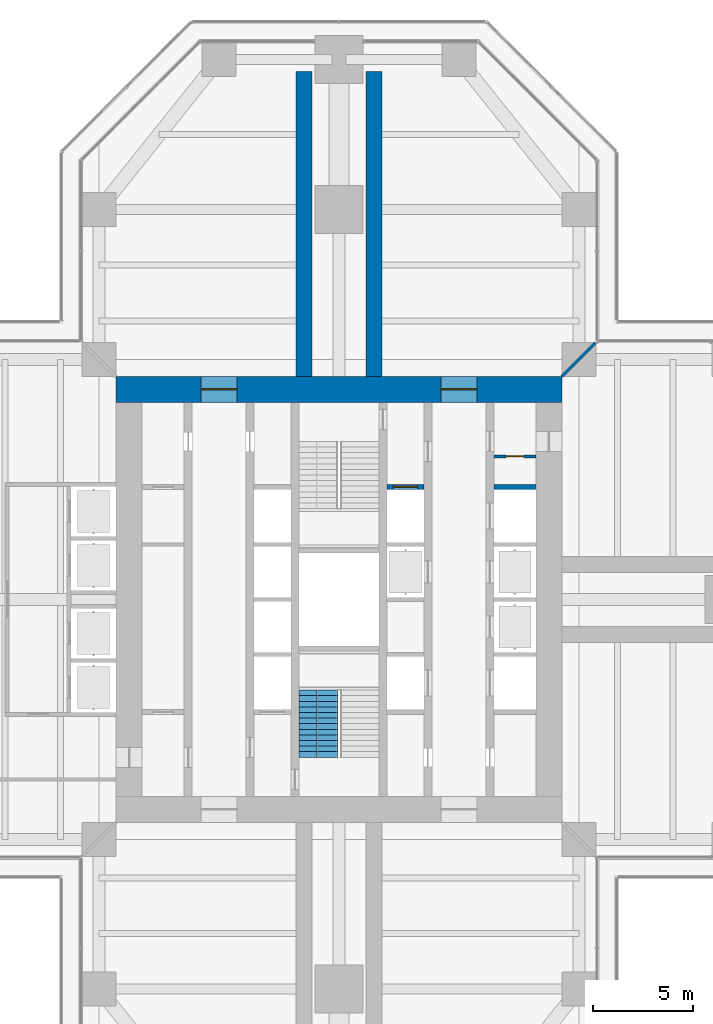
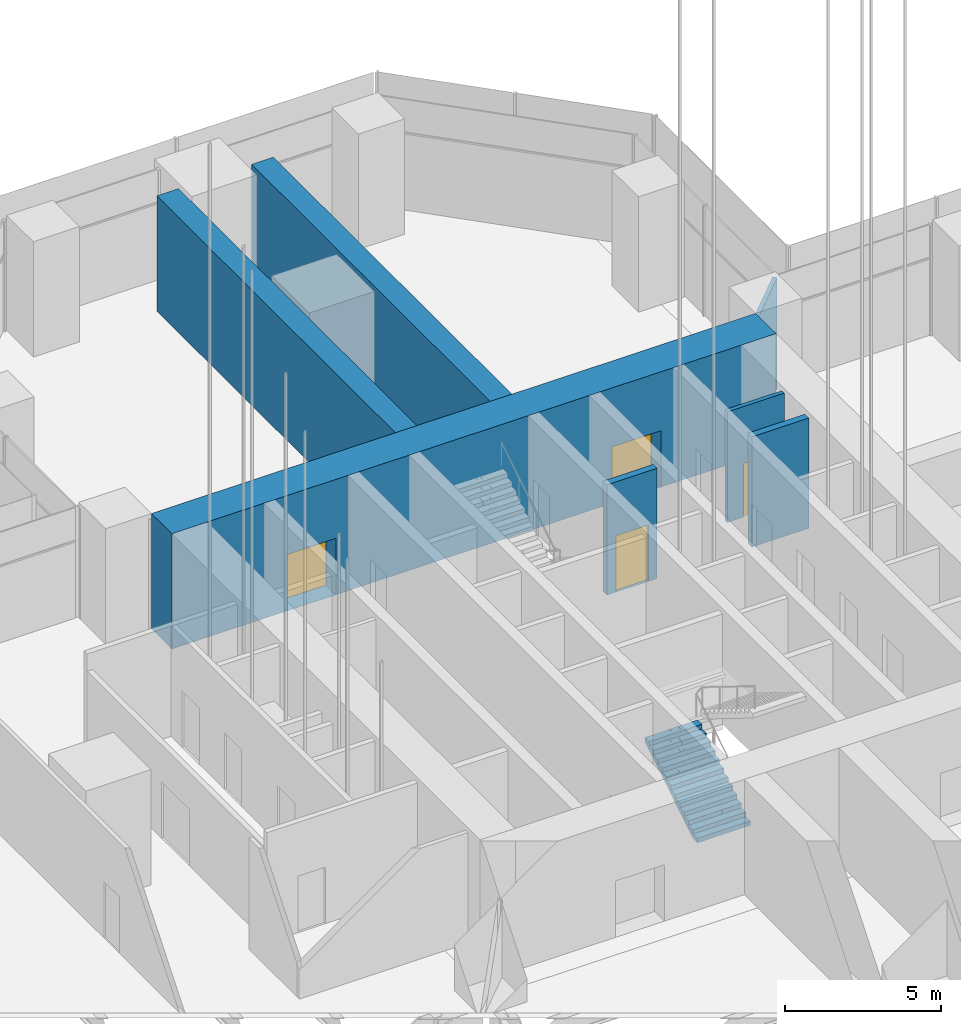
# One storey, part 16 of 34: 7 walls, 4 doors, 1 stair flight, 4 openings, 1 element without a shape of its own.
"""IFC4 building model written with IfcOpenShell, lengths in metres."""

from ifc_helpers import new_model, si_unit, direction, frame, frame_2d, origin, place, context, subcontext, project, spatial, polyline, rectangle, outline, extrude, material, layer, layer_set, type_object, element, fill, aggregate, save


model = new_model("IFC4")

# Units and contexts
model_context = context("Model", 3, precision=1e-05, world=origin(), true_north=direction((0.0, 1.0)))
body_context = subcontext(model_context, "Body", "Model", "MODEL_VIEW")
ifc_project = project(units=[si_unit("LENGTHUNIT", "METRE"), si_unit("AREAUNIT", "SQUARE_METRE"), si_unit("VOLUMEUNIT", "CUBIC_METRE"), si_unit("PLANEANGLEUNIT", "RADIAN"), si_unit("MASSUNIT", "GRAM", prefix="KILO")], contexts=[model_context])

# Site, building, storey
site_placement = place(None, origin())
site = spatial("IfcSite", under=ifc_project, at=site_placement, CompositionType="ELEMENT")
building_placement = place(site_placement, origin())
building = spatial("IfcBuilding", under=site, at=building_placement, Name="Mizan Broadcast Tower", CompositionType="ELEMENT")
storey_placement = place(building_placement, frame((0.0, 0.0, 194.39990234375)))
storey = spatial("IfcBuildingStorey", under=building, at=storey_placement, Name="L45", CompositionType="ELEMENT", Elevation=194.39990234375)

# Wall, opening, door
ifc_material_1 = material(Name="Concrete blockwork", Category="masonry")
ifc_layer_1 = layer(ifc_material_1, 0.14990234375)
ifc_layer_set_1 = layer_set([ifc_layer_1], Name="Concrete blockwork")
wall_type_1 = type_object("IfcWallType", Name="CORE PARTITION 150", PredefinedType="SOLIDWALL", material=ifc_layer_set_1)
wall_1_placement = place(storey_placement, frame((9.85009765625, 7.14990234375, 0.0), z_axis=(0.0, 0.0, 1.0), x_axis=(-1.0, 0.0, 0.0)))
wall_1 = element("IfcWall", 1, at=wall_1_placement, inside=storey, type_object=wall_type_1, Name="Core partition CORE/XPE", PredefinedType="SOLIDWALL", context=body_context, shape_type="SweptSolid", body=[
    extrude(rectangle(XDim=2.10009765625, YDim=0.14990234375, at=frame_2d((1.050048828125, 0.0))), origin(), (0.0, 0.0, 1.0), 4.320068359375),
])
opening_1_placement = place(wall_1_placement, frame((0.60009765625, 0.0, 0.0)))
opening_1 = element("IfcOpeningElement", 2, at=opening_1_placement, cuts=wall_1, Name="Opening D09F", PredefinedType="OPENING", context=body_context, shape_type="SweptSolid", body=[
    extrude(rectangle(XDim=0.89990234375, YDim=2.10009765625, at=frame_2d((0.449951171875, 1.050048828125))), frame((0.0, 0.0849609375, 0.0), z_axis=(0.0, -1.0, 0.0), x_axis=(1.0, 0.0, 0.0)), (0.0, 0.0, 1.0), 0.169921875),
])
ifc_material_2 = material(Name="Steel door leaf in steel frame", Category="steel")
door_type_1 = type_object("IfcDoorType", Name="CORE ROOM DOOR 900 FD90", OperationType="SINGLE_SWING_LEFT", PredefinedType="DOOR", material=ifc_material_2)
door_1_placement = place(opening_1_placement, origin())
door_1 = element("IfcDoor", 3, at=door_1_placement, inside=storey, type_object=door_type_1, Name="Comms cupboard door", OperationType="SINGLE_SWING_RIGHT", OverallHeight=2.10009765625, OverallWidth=0.89990234375, PredefinedType="DOOR", context=body_context, shape_type="SweptSolid", body=[
    extrude(rectangle(XDim=0.89990234375, YDim=2.10009765625, at=frame_2d((0.449951171875, 1.050048828125))), frame((0.0, 0.02490234375, 0.0), z_axis=(0.0, -1.0, 0.0), x_axis=(1.0, 0.0, 0.0)), (0.0, 0.0, 1.0), 0.050048828125),
])
fill(opening_1, door_1)

# Wall, openings, doors
ifc_material_3 = material(Name="Concrete C70/85", Category="concrete")
ifc_layer_2 = layer(ifc_material_3, 1.300048828125)
ifc_layer_set_2 = layer_set([ifc_layer_2], Name="Concrete C70/85")
wall_type_2 = type_object("IfcWallType", Name="CORE WALL 1300", PredefinedType="SHEAR", material=ifc_layer_set_2)
wall_2_placement = place(storey_placement, frame((-11.14990234375, 10.5, 0.0), z_axis=(0.0, 0.0, 1.0), x_axis=(1.0, 0.0, 0.0)))
wall_2 = element("IfcWall", 4, at=wall_2_placement, inside=storey, type_object=wall_type_2, Name="Core wall N L45", PredefinedType="SHEAR", context=body_context, shape_type="SweptSolid", body=[
    extrude(rectangle(XDim=22.2998046875, YDim=1.300048828125, at=frame_2d((11.14990234375, 0.0))), origin(), (0.0, 0.0, 1.0), 4.5),
])
opening_2_placement = place(wall_2_placement, frame((4.25, 0.0, 0.0)))
opening_2 = element("IfcOpeningElement", 5, at=opening_2_placement, cuts=wall_2, Name="Opening D18F", PredefinedType="OPENING", context=body_context, shape_type="SweptSolid", body=[
    extrude(rectangle(XDim=1.800048828125, YDim=2.199951171875, at=frame_2d((0.89990234375, 1.10009765625))), frame((0.0, 0.659912109375, 0.0), z_axis=(0.0, -1.0, 0.0), x_axis=(1.0, 0.0, 0.0)), (0.0, 0.0, 1.0), 1.320068359375),
])
opening_3_placement = place(wall_2_placement, frame((16.25, 0.0, 0.0)))
opening_3 = element("IfcOpeningElement", 6, at=opening_3_placement, cuts=wall_2, Name="Opening D18F", PredefinedType="OPENING", context=body_context, shape_type="SweptSolid", body=[
    extrude(rectangle(XDim=1.800048828125, YDim=2.199951171875, at=frame_2d((0.89990234375, 1.10009765625))), frame((0.0, 0.659912109375, 0.0), z_axis=(0.0, -1.0, 0.0), x_axis=(1.0, 0.0, 0.0)), (0.0, 0.0, 1.0), 1.320068359375),
])
ifc_material_4 = material(Name="Steel door leaf in steel frame", Category="steel")
door_type_2 = type_object("IfcDoorType", Name="LOBBY DOUBLE DOOR 1800 FD90", OperationType="DOUBLE_DOOR_DOUBLE_SWING", PredefinedType="DOOR", material=ifc_material_4)
door_2_placement = place(opening_2_placement, origin())
door_2 = element("IfcDoor", 7, at=door_2_placement, inside=storey, type_object=door_type_2, Name="West lift lobby north door", OperationType="DOUBLE_DOOR_DOUBLE_SWING", OverallHeight=2.199951171875, OverallWidth=1.800048828125, PredefinedType="DOOR", context=body_context, shape_type="SweptSolid", body=[
    extrude(rectangle(XDim=1.800048828125, YDim=2.199951171875, at=frame_2d((0.89990234375, 1.10009765625))), frame((0.0, 0.02490234375, 0.0), z_axis=(0.0, -1.0, 0.0), x_axis=(1.0, 0.0, 0.0)), (0.0, 0.0, 1.0), 0.050048828125),
])
fill(opening_2, door_2)
door_3_placement = place(opening_3_placement, origin())
door_3 = element("IfcDoor", 8, at=door_3_placement, inside=storey, type_object=door_type_2, Name="East lift lobby north door", OperationType="DOUBLE_DOOR_DOUBLE_SWING", OverallHeight=2.199951171875, OverallWidth=1.800048828125, PredefinedType="DOOR", context=body_context, shape_type="SweptSolid", body=[
    extrude(rectangle(XDim=1.800048828125, YDim=2.199951171875, at=frame_2d((0.89990234375, 1.10009765625))), frame((0.0, 0.02490234375, 0.0), z_axis=(0.0, -1.0, 0.0), x_axis=(1.0, 0.0, 0.0)), (0.0, 0.0, 1.0), 0.050048828125),
])
fill(opening_3, door_3)

# Wall, opening, door
ifc_material_5 = material(Name="Concrete blockwork", Category="masonry")
ifc_layer_3 = layer(ifc_material_5, 0.25)
ifc_layer_set_3 = layer_set([ifc_layer_3], Name="Concrete blockwork")
wall_type_3 = type_object("IfcWallType", Name="LOBBY ENCLOSURE WALL 250", PredefinedType="SOLIDWALL", material=ifc_layer_set_3)
wall_3_placement = place(storey_placement, frame((2.39990234375, 5.625, 0.0), z_axis=(0.0, 0.0, 1.0), x_axis=(1.0, 0.0, 0.0)))
wall_3 = element("IfcWall", 9, at=wall_3_placement, inside=storey, type_object=wall_type_3, Name="Lobby enclosure wall CORE/BE2N", PredefinedType="SOLIDWALL", context=body_context, shape_type="SweptSolid", body=[
    extrude(rectangle(XDim=1.85009765625, YDim=0.25, at=frame_2d((0.925048828125, 0.0))), origin(), (0.0, 0.0, 1.0), 4.300048828125),
])
opening_4_placement = place(wall_3_placement, frame((0.324951171875, 0.0, 0.0)))
opening_4 = element("IfcOpeningElement", 10, at=opening_4_placement, cuts=wall_3, Name="Opening LDF", PredefinedType="OPENING", context=body_context, shape_type="SweptSolid", body=[
    extrude(rectangle(XDim=1.199951171875, YDim=2.199951171875, at=frame_2d((0.60009765625, 1.10009765625))), frame((0.0, 0.135009765625, 0.0), z_axis=(0.0, -1.0, 0.0), x_axis=(1.0, 0.0, 0.0)), (0.0, 0.0, 1.0), 0.27001953125),
])
ifc_material_6 = material(Name="Steel door leaf in steel frame", Category="steel")
door_type_3 = type_object("IfcDoorType", Name="FIREFIGHTING LIFT LANDING DOOR 1200", OperationType="SLIDING_TO_LEFT", PredefinedType="DOOR", material=ifc_material_6)
door_4_placement = place(opening_4_placement, origin())
door_4 = element("IfcDoor", 11, at=door_4_placement, inside=storey, type_object=door_type_3, Name="Landing door FF2", OperationType="SLIDING_TO_LEFT", OverallHeight=2.199951171875, OverallWidth=1.199951171875, PredefinedType="DOOR", context=body_context, shape_type="SweptSolid", body=[
    extrude(rectangle(XDim=1.199951171875, YDim=2.199951171875, at=frame_2d((0.60009765625, 1.10009765625))), frame((0.0, 0.02490234375, 0.0), z_axis=(0.0, -1.0, 0.0), x_axis=(1.0, 0.0, 0.0)), (0.0, 0.0, 1.0), 0.050048828125),
])
fill(opening_4, door_4)

# Walls
wall_4_placement = place(storey_placement, frame((7.75, 5.625, 0.0), z_axis=(0.0, 0.0, 1.0), x_axis=(1.0, 0.0, 0.0)))
element("IfcWall", 12, at=wall_4_placement, inside=storey, type_object=wall_type_3, Name="Lobby enclosure wall CORE/BE1N", PredefinedType="SOLIDWALL", context=body_context, shape_type="SweptSolid", body=[
    extrude(rectangle(XDim=2.10009765625, YDim=0.25, at=frame_2d((1.050048828125, 0.0))), origin(), (0.0, 0.0, 1.0), 4.300048828125),
])
ifc_material_7 = material(Name="Gypsum board on steel studs", Category="steel")
ifc_layer_4 = layer(ifc_material_7, 0.14990234375)
ifc_layer_set_4 = layer_set([ifc_layer_4], Name="Gypsum board on steel studs")
wall_type_4 = type_object("IfcWallType", Name="PARTITION 150", PredefinedType="PARTITIONING", material=ifc_layer_set_4)
wall_5_placement = place(storey_placement, frame((11.14990234375, 11.14990234375, 0.0), z_axis=(0.0, 0.0, 1.0), x_axis=(0.707106781187, 0.707106781187, 0.0)))
element("IfcWall", 13, at=wall_5_placement, inside=storey, type_object=wall_type_4, Name="Partition PT/DGEN", PredefinedType="PARTITIONING", context=body_context, shape_type="SweptSolid", body=[
    extrude(rectangle(XDim=2.362060546875, YDim=0.14990234375, at=frame_2d((1.18115234375, 0.0))), origin(), (0.0, 0.0, 1.0), 4.320068359375),
])
ifc_material_8 = material(Name="Concrete C70/85", Category="concrete")
ifc_layer_5 = layer(ifc_material_8, 0.800048828125)
ifc_layer_set_5 = layer_set([ifc_layer_5], Name="Concrete C70/85")
wall_type_5 = type_object("IfcWallType", Name="SPINE WALL 800", PredefinedType="SHEAR", material=ifc_layer_set_5)
for number, where, z_axis, x_axis, name in (
    (14, (1.75, 11.14990234375, 0.0), (0.0, 0.0, 1.0), (0.0, 1.0, 0.0), "Spine wall NR L45"),
    (15, (-1.75, 11.14990234375, 0.0), (0.0, 0.0, 1.0), (0.0, 1.0, 0.0), "Spine wall NL L45"),
):
    element("IfcWall", number, at=place(storey_placement, frame(where, z_axis=z_axis, x_axis=x_axis)), inside=storey, type_object=wall_type_5, Name=name, PredefinedType="SHEAR", context=body_context, shape_type="SweptSolid", body=[
        extrude(rectangle(XDim=15.25, YDim=0.800048828125, at=frame_2d((7.625, 0.0))), origin(), (0.0, 0.0, 1.0), 4.5),
    ])

# Stair, stair flight
ifc_material_9 = material(Name="Concrete C40/50", Category="concrete")
stair_type = type_object("IfcStairType", Name="EXIT STAIR", PredefinedType="HALF_TURN_STAIR", material=ifc_material_9)
stair_placement = place(storey_placement, origin())
stair = element("IfcStair", 16, at=stair_placement, inside=storey, type_object=stair_type, Name="Stair A L45", PredefinedType="HALF_TURN_STAIR")
ifc_material_10 = material(Name="Concrete C40/50", Category="concrete")
stair_flight_type = type_object("IfcStairFlightType", Name="EXIT STAIR FLIGHT", PredefinedType="STRAIGHT", material=ifc_material_10)
stair_flight_placement = place(storey_placement, frame((-1.02490234375, -7.89990234375, 0.0), z_axis=(0.0, 0.0, 1.0), x_axis=(0.0, 1.0, 0.0)))
stair_flight = element("IfcStairFlight", 17, at=stair_flight_placement, type_object=stair_flight_type, Name="A flight 1", NumberOfRisers=13, NumberOfTreads=12, PredefinedType="STRAIGHT", RiserHeight=0.173076923, TreadLength=0.28, context=body_context, shape_type="SweptSolid", body=[
    extrude(outline(polyline([(0.0, 0.0), (0.0, 0.173095703125), (0.280029296875, 0.173095703125), (0.280029296875, 0.34619140625), (0.56005859375, 0.34619140625), (0.56005859375, 0.519287109375), (0.840087890625, 0.519287109375), (0.840087890625, 0.6923828125), (1.1201171875, 0.6923828125), (1.1201171875, 0.865478515625), (1.39990234375, 0.865478515625), (1.39990234375, 1.03857421875), (1.679931640625, 1.03857421875), (1.679931640625, 1.21142578125), (1.9599609375, 1.21142578125), (1.9599609375, 1.384521484375), (2.239990234375, 1.384521484375), (2.239990234375, 1.5576171875), (2.52001953125, 1.5576171875), (2.52001953125, 1.730712890625), (2.800048828125, 1.730712890625), (2.800048828125, 1.90380859375), (3.080078125, 1.90380859375), (3.080078125, 2.076904296875), (3.360107421875, 2.076904296875), (3.360107421875, 2.25), (3.360107421875, 1.900634765625), (0.28515625, 0.0), (0.0, 0.0)])), frame((0.0, 0.97509765625, 0.0), z_axis=(0.0, -1.0, 0.0), x_axis=(1.0, 0.0, 0.0)), (0.0, 0.0, 1.0), 0.4873046875),
    extrude(outline(polyline([(0.0, 0.0), (0.0, 0.173095703125), (0.280029296875, 0.173095703125), (0.280029296875, 0.34619140625), (0.56005859375, 0.34619140625), (0.56005859375, 0.519287109375), (0.840087890625, 0.519287109375), (0.840087890625, 0.6923828125), (1.1201171875, 0.6923828125), (1.1201171875, 0.865478515625), (1.39990234375, 0.865478515625), (1.39990234375, 1.03857421875), (1.679931640625, 1.03857421875), (1.679931640625, 1.21142578125), (1.9599609375, 1.21142578125), (1.9599609375, 1.384521484375), (2.239990234375, 1.384521484375), (2.239990234375, 1.5576171875), (2.52001953125, 1.5576171875), (2.52001953125, 1.730712890625), (2.800048828125, 1.730712890625), (2.800048828125, 1.90380859375), (3.080078125, 1.90380859375), (3.080078125, 2.076904296875), (3.360107421875, 2.076904296875), (3.360107421875, 2.25), (3.360107421875, 1.900634765625), (0.28515625, 0.0), (0.0, 0.0)])), frame((0.0, 0.4873046875, 0.0), z_axis=(0.0, -1.0, 0.0), x_axis=(1.0, 0.0, 0.0)), (0.0, 0.0, 1.0), 0.2431640625),
    extrude(outline(polyline([(0.0, 0.0), (0.0, 0.173095703125), (0.280029296875, 0.173095703125), (0.280029296875, 0.34619140625), (0.56005859375, 0.34619140625), (0.56005859375, 0.519287109375), (0.840087890625, 0.519287109375), (0.840087890625, 0.6923828125), (1.1201171875, 0.6923828125), (1.1201171875, 0.865478515625), (1.39990234375, 0.865478515625), (1.39990234375, 1.03857421875), (1.679931640625, 1.03857421875), (1.679931640625, 1.21142578125), (1.9599609375, 1.21142578125), (1.9599609375, 1.384521484375), (2.239990234375, 1.384521484375), (2.239990234375, 1.5576171875), (2.52001953125, 1.5576171875), (2.52001953125, 1.730712890625), (2.800048828125, 1.730712890625), (2.800048828125, 1.90380859375), (3.080078125, 1.90380859375), (3.080078125, 2.076904296875), (3.360107421875, 2.076904296875), (3.360107421875, 2.25), (3.360107421875, 1.900634765625), (0.28515625, 0.0), (0.0, 0.0)])), frame((0.0, 0.24365234375, 0.0), z_axis=(0.0, -1.0, 0.0), x_axis=(1.0, 0.0, 0.0)), (0.0, 0.0, 1.0), 0.121337890625),
    extrude(outline(polyline([(0.0, 0.0), (0.0, 0.173095703125), (0.280029296875, 0.173095703125), (0.280029296875, 0.34619140625), (0.56005859375, 0.34619140625), (0.56005859375, 0.519287109375), (0.840087890625, 0.519287109375), (0.840087890625, 0.6923828125), (1.1201171875, 0.6923828125), (1.1201171875, 0.865478515625), (1.39990234375, 0.865478515625), (1.39990234375, 1.03857421875), (1.679931640625, 1.03857421875), (1.679931640625, 1.21142578125), (1.9599609375, 1.21142578125), (1.9599609375, 1.384521484375), (2.239990234375, 1.384521484375), (2.239990234375, 1.5576171875), (2.52001953125, 1.5576171875), (2.52001953125, 1.730712890625), (2.800048828125, 1.730712890625), (2.800048828125, 1.90380859375), (3.080078125, 1.90380859375), (3.080078125, 2.076904296875), (3.360107421875, 2.076904296875), (3.360107421875, 2.25), (3.360107421875, 1.900634765625), (0.28515625, 0.0), (0.0, 0.0)])), frame((0.0, 0.121826171875, 0.0), z_axis=(0.0, -1.0, 0.0), x_axis=(1.0, 0.0, 0.0)), (0.0, 0.0, 1.0), 0.060546875),
    extrude(outline(polyline([(0.0, 0.0), (0.0, 0.173095703125), (0.280029296875, 0.173095703125), (0.280029296875, 0.34619140625), (0.56005859375, 0.34619140625), (0.56005859375, 0.519287109375), (0.840087890625, 0.519287109375), (0.840087890625, 0.6923828125), (1.1201171875, 0.6923828125), (1.1201171875, 0.865478515625), (1.39990234375, 0.865478515625), (1.39990234375, 1.03857421875), (1.679931640625, 1.03857421875), (1.679931640625, 1.21142578125), (1.9599609375, 1.21142578125), (1.9599609375, 1.384521484375), (2.239990234375, 1.384521484375), (2.239990234375, 1.5576171875), (2.52001953125, 1.5576171875), (2.52001953125, 1.730712890625), (2.800048828125, 1.730712890625), (2.800048828125, 1.90380859375), (3.080078125, 1.90380859375), (3.080078125, 2.076904296875), (3.360107421875, 2.076904296875), (3.360107421875, 2.25), (3.360107421875, 1.900634765625), (0.28515625, 0.0), (0.0, 0.0)])), frame((0.0, 0.060791015625, 0.0), z_axis=(0.0, -1.0, 0.0), x_axis=(1.0, 0.0, 0.0)), (0.0, 0.0, 1.0), 0.030029296875),
    extrude(outline(polyline([(0.0, 0.0), (0.0, 0.173095703125), (0.280029296875, 0.173095703125), (0.280029296875, 0.34619140625), (0.56005859375, 0.34619140625), (0.56005859375, 0.519287109375), (0.840087890625, 0.519287109375), (0.840087890625, 0.6923828125), (1.1201171875, 0.6923828125), (1.1201171875, 0.865478515625), (1.39990234375, 0.865478515625), (1.39990234375, 1.03857421875), (1.679931640625, 1.03857421875), (1.679931640625, 1.21142578125), (1.9599609375, 1.21142578125), (1.9599609375, 1.384521484375), (2.239990234375, 1.384521484375), (2.239990234375, 1.5576171875), (2.52001953125, 1.5576171875), (2.52001953125, 1.730712890625), (2.800048828125, 1.730712890625), (2.800048828125, 1.90380859375), (3.080078125, 1.90380859375), (3.080078125, 2.076904296875), (3.360107421875, 2.076904296875), (3.360107421875, 2.25), (3.360107421875, 1.900634765625), (0.28515625, 0.0), (0.0, 0.0)])), frame((0.0, 0.0302734375, 0.0), z_axis=(0.0, -1.0, 0.0), x_axis=(1.0, 0.0, 0.0)), (0.0, 0.0, 1.0), 0.060302734375),
    extrude(outline(polyline([(0.0, 0.0), (0.0, 0.173095703125), (0.280029296875, 0.173095703125), (0.280029296875, 0.34619140625), (0.56005859375, 0.34619140625), (0.56005859375, 0.519287109375), (0.840087890625, 0.519287109375), (0.840087890625, 0.6923828125), (1.1201171875, 0.6923828125), (1.1201171875, 0.865478515625), (1.39990234375, 0.865478515625), (1.39990234375, 1.03857421875), (1.679931640625, 1.03857421875), (1.679931640625, 1.21142578125), (1.9599609375, 1.21142578125), (1.9599609375, 1.384521484375), (2.239990234375, 1.384521484375), (2.239990234375, 1.5576171875), (2.52001953125, 1.5576171875), (2.52001953125, 1.730712890625), (2.800048828125, 1.730712890625), (2.800048828125, 1.90380859375), (3.080078125, 1.90380859375), (3.080078125, 2.076904296875), (3.360107421875, 2.076904296875), (3.360107421875, 2.25), (3.360107421875, 1.900634765625), (0.28515625, 0.0), (0.0, 0.0)])), frame((0.0, -0.030517578125, 0.0), z_axis=(0.0, -1.0, 0.0), x_axis=(1.0, 0.0, 0.0)), (0.0, 0.0, 1.0), 0.030029296875),
    extrude(outline(polyline([(0.0, 0.0), (0.0, 0.173095703125), (0.280029296875, 0.173095703125), (0.280029296875, 0.34619140625), (0.56005859375, 0.34619140625), (0.56005859375, 0.519287109375), (0.840087890625, 0.519287109375), (0.840087890625, 0.6923828125), (1.1201171875, 0.6923828125), (1.1201171875, 0.865478515625), (1.39990234375, 0.865478515625), (1.39990234375, 1.03857421875), (1.679931640625, 1.03857421875), (1.679931640625, 1.21142578125), (1.9599609375, 1.21142578125), (1.9599609375, 1.384521484375), (2.239990234375, 1.384521484375), (2.239990234375, 1.5576171875), (2.52001953125, 1.5576171875), (2.52001953125, 1.730712890625), (2.800048828125, 1.730712890625), (2.800048828125, 1.90380859375), (3.080078125, 1.90380859375), (3.080078125, 2.076904296875), (3.360107421875, 2.076904296875), (3.360107421875, 2.25), (3.360107421875, 1.900634765625), (0.28515625, 0.0), (0.0, 0.0)])), frame((0.0, -0.06103515625, 0.0), z_axis=(0.0, -1.0, 0.0), x_axis=(1.0, 0.0, 0.0)), (0.0, 0.0, 1.0), 0.060546875),
    extrude(outline(polyline([(0.0, 0.0), (0.0, 0.173095703125), (0.280029296875, 0.173095703125), (0.280029296875, 0.34619140625), (0.56005859375, 0.34619140625), (0.56005859375, 0.519287109375), (0.840087890625, 0.519287109375), (0.840087890625, 0.6923828125), (1.1201171875, 0.6923828125), (1.1201171875, 0.865478515625), (1.39990234375, 0.865478515625), (1.39990234375, 1.03857421875), (1.679931640625, 1.03857421875), (1.679931640625, 1.21142578125), (1.9599609375, 1.21142578125), (1.9599609375, 1.384521484375), (2.239990234375, 1.384521484375), (2.239990234375, 1.5576171875), (2.52001953125, 1.5576171875), (2.52001953125, 1.730712890625), (2.800048828125, 1.730712890625), (2.800048828125, 1.90380859375), (3.080078125, 1.90380859375), (3.080078125, 2.076904296875), (3.360107421875, 2.076904296875), (3.360107421875, 2.25), (3.360107421875, 1.900634765625), (0.28515625, 0.0), (0.0, 0.0)])), frame((0.0, -0.1220703125, 0.0), z_axis=(0.0, -1.0, 0.0), x_axis=(1.0, 0.0, 0.0)), (0.0, 0.0, 1.0), 0.121337890625),
    extrude(outline(polyline([(0.0, 0.0), (0.0, 0.173095703125), (0.280029296875, 0.173095703125), (0.280029296875, 0.34619140625), (0.56005859375, 0.34619140625), (0.56005859375, 0.519287109375), (0.840087890625, 0.519287109375), (0.840087890625, 0.6923828125), (1.1201171875, 0.6923828125), (1.1201171875, 0.865478515625), (1.39990234375, 0.865478515625), (1.39990234375, 1.03857421875), (1.679931640625, 1.03857421875), (1.679931640625, 1.21142578125), (1.9599609375, 1.21142578125), (1.9599609375, 1.384521484375), (2.239990234375, 1.384521484375), (2.239990234375, 1.5576171875), (2.52001953125, 1.5576171875), (2.52001953125, 1.730712890625), (2.800048828125, 1.730712890625), (2.800048828125, 1.90380859375), (3.080078125, 1.90380859375), (3.080078125, 2.076904296875), (3.360107421875, 2.076904296875), (3.360107421875, 2.25), (3.360107421875, 1.900634765625), (0.28515625, 0.0), (0.0, 0.0)])), frame((0.0, -0.243896484375, 0.0), z_axis=(0.0, -1.0, 0.0), x_axis=(1.0, 0.0, 0.0)), (0.0, 0.0, 1.0), 0.2431640625),
    extrude(outline(polyline([(0.0, 0.0), (0.0, 0.173095703125), (0.280029296875, 0.173095703125), (0.280029296875, 0.34619140625), (0.56005859375, 0.34619140625), (0.56005859375, 0.519287109375), (0.840087890625, 0.519287109375), (0.840087890625, 0.6923828125), (1.1201171875, 0.6923828125), (1.1201171875, 0.865478515625), (1.39990234375, 0.865478515625), (1.39990234375, 1.03857421875), (1.679931640625, 1.03857421875), (1.679931640625, 1.21142578125), (1.9599609375, 1.21142578125), (1.9599609375, 1.384521484375), (2.239990234375, 1.384521484375), (2.239990234375, 1.5576171875), (2.52001953125, 1.5576171875), (2.52001953125, 1.730712890625), (2.800048828125, 1.730712890625), (2.800048828125, 1.90380859375), (3.080078125, 1.90380859375), (3.080078125, 2.076904296875), (3.360107421875, 2.076904296875), (3.360107421875, 2.25), (3.360107421875, 1.900634765625), (0.28515625, 0.0), (0.0, 0.0)])), frame((0.0, -0.487548828125, 0.0), z_axis=(0.0, -1.0, 0.0), x_axis=(1.0, 0.0, 0.0)), (0.0, 0.0, 1.0), 0.4873046875),
])
aggregate(stair, [stair_flight])

save(model, "model.ifc")
